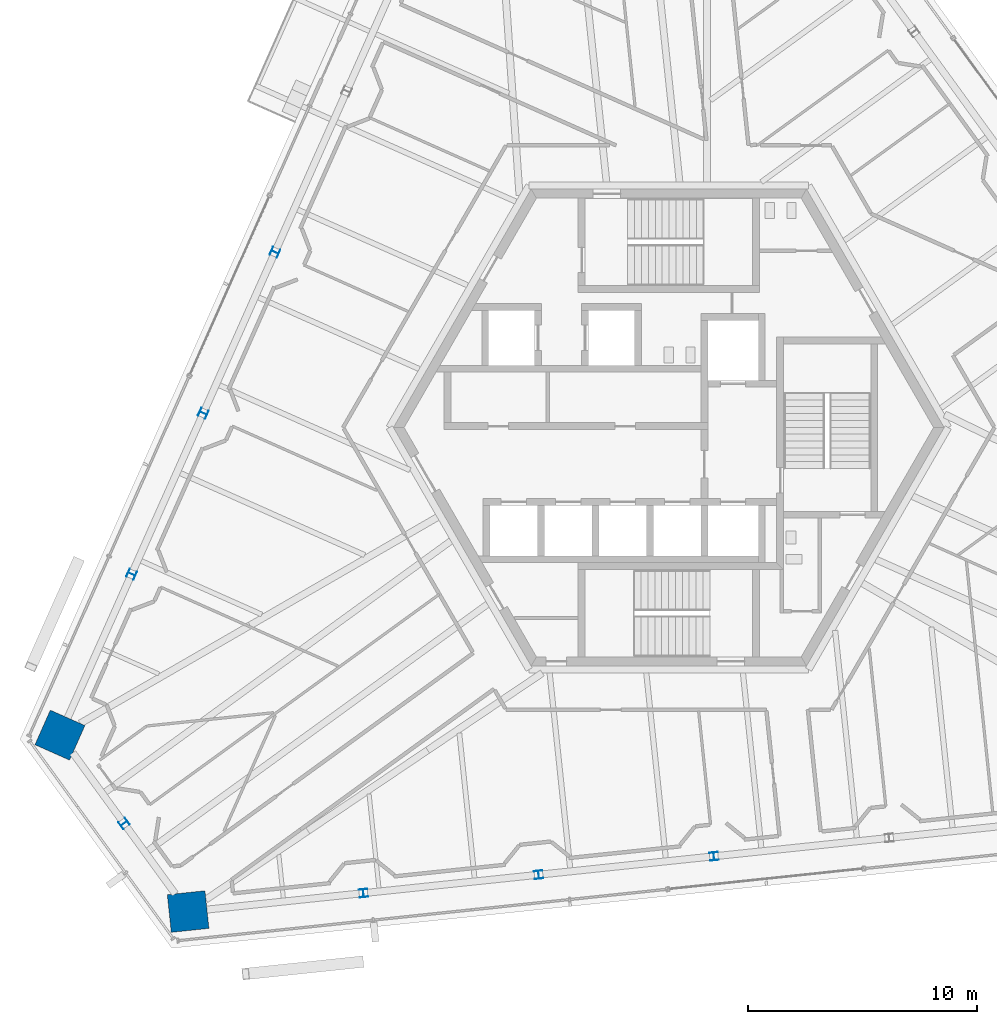
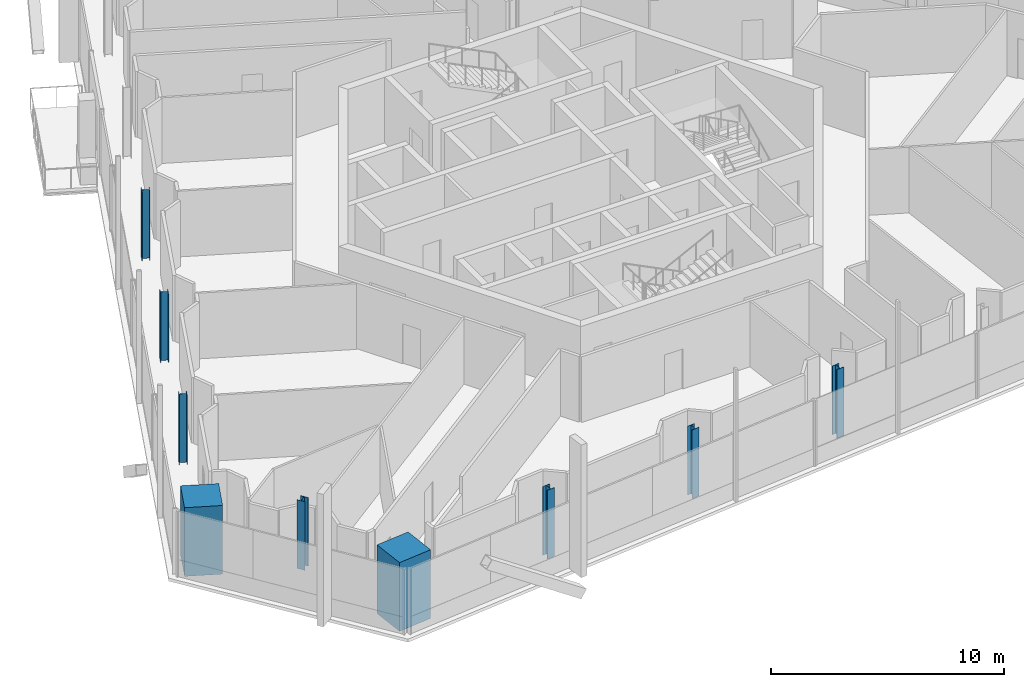
# One storey, part 1 of 21: 9 columns.
"""IFC4 building model written with IfcOpenShell, lengths in metres."""

from ifc_helpers import new_model, si_unit, direction, frame, origin, origin_2d, place, context, subcontext, project, spatial, rectangle, i_section, extrude, source, transform, mapped, material, material_profile, profile_set, type_object, element, save


model = new_model("IFC4")

# Units and contexts
model_context = context("Model", 3, precision=1e-05, world=origin(), true_north=direction((0.0, 1.0)))
body_context = subcontext(model_context, "Body", "Model", "MODEL_VIEW")
ifc_project = project(units=[si_unit("LENGTHUNIT", "METRE"), si_unit("AREAUNIT", "SQUARE_METRE"), si_unit("VOLUMEUNIT", "CUBIC_METRE"), si_unit("PLANEANGLEUNIT", "RADIAN"), si_unit("MASSUNIT", "GRAM", prefix="KILO")], contexts=[model_context])

# Site, building, storey
site_placement = place(None, origin())
site = spatial("IfcSite", under=ifc_project, at=site_placement, CompositionType="ELEMENT")
building_placement = place(site_placement, origin())
building = spatial("IfcBuilding", under=site, at=building_placement, Name="Triune Harvest Tower", CompositionType="ELEMENT")
storey_placement = place(building_placement, frame((0.0, 0.0, 248.5)))
storey = spatial("IfcBuildingStorey", under=building, at=storey_placement, Name="L65", CompositionType="ELEMENT", Elevation=248.5)

# Columns
ifc_material_1 = material(Name="Steel ASTM A992 Gr 50", Category="steel")
ifc_material_profile_1 = material_profile(ifc_material_1, i_section(OverallWidth=0.368408203125, OverallDepth=0.355712890625, WebThickness=0.01123046875, FlangeThickness=0.01806640625, at=origin_2d()), Name="W14x90")
ifc_profile_set_1 = profile_set([ifc_material_profile_1], Name="Steel ASTM A992 Gr 50")
column_type_1 = type_object("IfcColumnType", Name="PC-6 Perimeter column W14x90", PredefinedType="COLUMN", material=ifc_profile_set_1)
shared_shape_1 = source(origin(), body_context, "Body", "SweptSolid", [
    extrude(i_section(OverallWidth=0.368408203125, OverallDepth=0.355712890625, WebThickness=0.01123046875, FlangeThickness=0.01806640625, at=origin_2d()), origin(), (0.0, 0.0, 1.0), 3.60009765625),
])
for number, where, z_axis, x_axis, name in (
    (1, (-17.163818359375, 7.641845703125, 0.0), (0.0, 0.0, 1.0), (-0.406738237513, -0.913544747752, 0.0), "col/L65/P11"),
    (2, (-20.287109375, 0.626220703125, 0.0), (0.0, 0.0, 1.0), (-0.406738237513, -0.913544747752, 0.0), "col/L65/P12"),
    (3, (-23.41064453125, -6.389404296875, 0.0), (0.0, 0.0, 1.0), (-0.406738237513, -0.913544747752, 0.0), "col/L65/P13"),
    (4, (-23.7412109375, -17.2490234375, 1.199951171875), (0.0, 0.0, 1.0), (0.587785252292, -0.809016994375, 0.0), "col/L65/P15"),
    (5, (-13.310791015625, -20.29052734375, 0.0), (0.0, 0.0, 1.0), (0.99452171293, 0.104530199036, 0.0), "col/L65/P17"),
    (6, (-5.673583984375, -19.48779296875, 0.0), (0.0, 0.0, 1.0), (0.99452171293, 0.104530199036, 0.0), "col/L65/P18"),
    (7, (1.9638671875, -18.68505859375, 0.0), (0.0, 0.0, 1.0), (0.99452171293, 0.104530199036, 0.0), "col/L65/P19"),
):
    element("IfcColumn", number, at=place(storey_placement, frame(where, z_axis=z_axis, x_axis=x_axis)), inside=storey, type_object=column_type_1, Name=name, PredefinedType="COLUMN", context=body_context, shape_type="MappedRepresentation", body=[
        mapped(shared_shape_1, transform((0.0, 0.0, 0.0), scale=1.0)),
    ])
ifc_material_2 = material(Name="Concrete 70 MPa", Category="concrete")
ifc_material_profile_2 = material_profile(ifc_material_2, rectangle(XDim=1.64990234375, YDim=1.64990234375, at=origin_2d()), Name="Composite 1650x1650")
ifc_profile_set_2 = profile_set([ifc_material_profile_2], Name="Concrete 70 MPa")
column_type_2 = type_object("IfcColumnType", Name="MC-6 Mega column Composite 1650x1650", PredefinedType="COLUMN", material=ifc_profile_set_2)
shared_shape_2 = source(origin(), body_context, "Body", "SweptSolid", [
    extrude(rectangle(XDim=1.64990234375, YDim=1.64990234375, at=origin_2d()), origin(), (0.0, 0.0, 1.0), 3.60009765625),
])
for number, where, z_axis, x_axis, name in (
    (8, (-26.5341796875, -13.40478515625, 0.0), (0.0, 0.0, 1.0), (-0.406738237513, -0.913544747752, 0.0), "col/L65/M14"),
    (9, (-20.9482421875, -21.09326171875, 0.0), (0.0, 0.0, 1.0), (0.99452171293, 0.104530199036, 0.0), "col/L65/M16"),
):
    element("IfcColumn", number, at=place(storey_placement, frame(where, z_axis=z_axis, x_axis=x_axis)), inside=storey, type_object=column_type_2, Name=name, PredefinedType="COLUMN", context=body_context, shape_type="MappedRepresentation", body=[
        mapped(shared_shape_2, transform((0.0, 0.0, 0.0), scale=1.0)),
    ])

save(model, "model.ifc")
